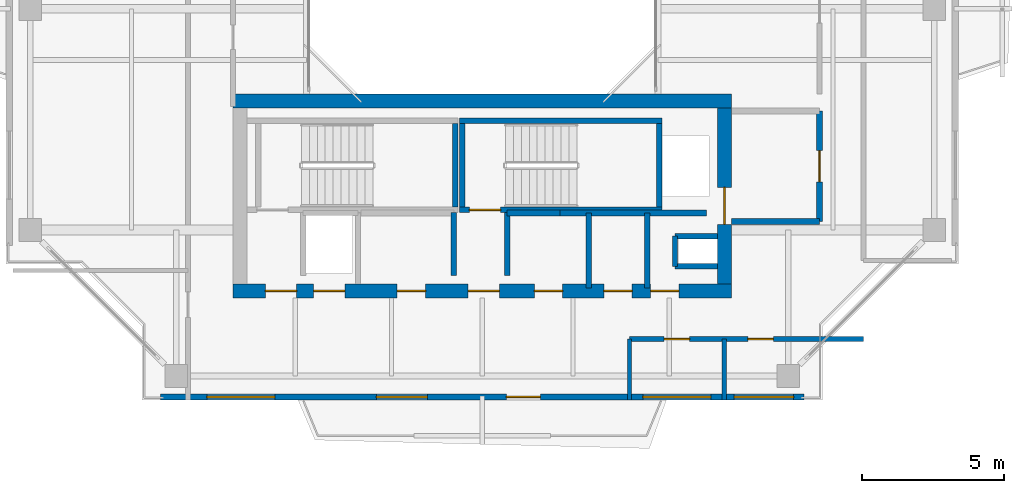
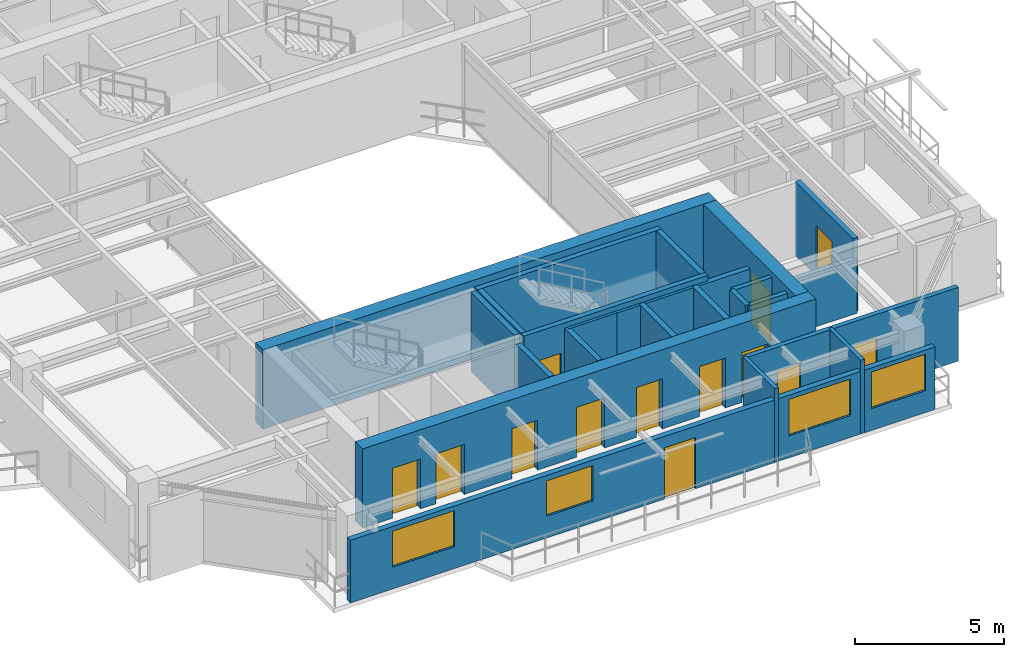
# One storey, part 10 of 16: 23 walls, 13 doors, 4 windows, 17 openings.
"""IFC4 building model written with IfcOpenShell, lengths in metres."""

import ifcopenshell
import ifcopenshell.guid

model = None  # the IFC model being written
_history = None  # IfcOwnerHistory: only IFC2X3 demands one
_inside = {}  # id of a spatial element -> (the spatial element, [elements in it])
_under = {}  # id of a project, library or spatial element -> (it, [spatial elements below it])
_declared = {}  # id of a project -> (the project, [libraries it declares])
_typed = {}  # id of a type object -> (the type object, [elements of that type])
_made_of = {}  # id of a material, layer set ... -> (it, [elements and type objects made of it])


def new_model(schema):
    """Start an empty IFC model of exactly this schema.

    Asked for "IFC4X3", IfcOpenShell would pick the latest addendum, in which some entities
    have other attributes; the version numbers below select the first issue.
    IFC2X3 requires an IfcOwnerHistory on every rooted entity: one is made here for all.
    """
    global model, _history
    if schema == "IFC4X3":
        model = ifcopenshell.file(schema_version=(4, 3, 0, 0))
    else:
        model = ifcopenshell.file(schema=schema)
    _inside.clear()
    _under.clear()
    _declared.clear()
    _typed.clear()
    _made_of.clear()
    _history = None
    if model.schema == "IFC2X3":
        org = make("IfcOrganization", Name="unknown")
        user = make(
            "IfcPersonAndOrganization",
            ThePerson=make("IfcPerson", FamilyName="unknown"),
            TheOrganization=org,
        )
        app = make(
            "IfcApplication",
            ApplicationDeveloper=org,
            Version="unknown",
            ApplicationFullName="unknown",
            ApplicationIdentifier="unknown",
        )
        _history = make(
            "IfcOwnerHistory",
            OwningUser=user,
            OwningApplication=app,
            ChangeAction="ADDED",
            CreationDate=0,
        )
    return model


def make(cls, **values):
    """One entity of the class cls with the attributes given. An attribute that is None is left unset."""
    return model.create_entity(
        cls, **{name: value for name, value in values.items() if value is not None}
    )


def rooted(cls, **values):
    """An entity with a GlobalId (a new one), such as an element, a storey or a relation."""
    return make(cls, GlobalId=ifcopenshell.guid.new(), OwnerHistory=_history, **values)


def si_unit(unit_type, name, prefix=None):
    """IfcSIUnit, for example si_unit("LENGTHUNIT", "METRE", prefix="MILLI")."""
    return make("IfcSIUnit", UnitType=unit_type, Prefix=prefix, Name=name)


def assignment(units):
    """IfcUnitAssignment: the units of a project."""
    return None if units is None else make("IfcUnitAssignment", Units=units)


def point(xyz):
    """IfcCartesianPoint."""
    return None if xyz is None else make("IfcCartesianPoint", Coordinates=xyz)


def direction(xyz):
    """IfcDirection."""
    return None if xyz is None else make("IfcDirection", DirectionRatios=xyz)


def frame(location, z_axis=None, x_axis=None):
    """IfcAxis2Placement3D, a coordinate frame: its origin and axes. An axis left out is left unset."""
    return make(
        "IfcAxis2Placement3D",
        Location=point(location),
        Axis=direction(z_axis),
        RefDirection=direction(x_axis),
    )


def frame_2d(location, x_axis=None):
    """IfcAxis2Placement2D, a coordinate frame in the plane: its origin and x axis."""
    return make(
        "IfcAxis2Placement2D", Location=point(location), RefDirection=direction(x_axis)
    )


def origin():
    """The frame at (0, 0, 0) with its axes left unset."""
    return frame((0.0, 0.0, 0.0))


def place(relative_to, where):
    """IfcLocalPlacement: puts the frame where relative to a parent placement (None: the world)."""
    return make(
        "IfcLocalPlacement", PlacementRelTo=relative_to, RelativePlacement=where
    )


def context(
    kind, dimensions, precision=None, world=None, true_north=None, identifier=None
):
    """IfcGeometricRepresentationContext, for example the 3D "Model" context."""
    return make(
        "IfcGeometricRepresentationContext",
        ContextIdentifier=identifier,
        ContextType=kind,
        CoordinateSpaceDimension=dimensions,
        Precision=precision,
        WorldCoordinateSystem=world,
        TrueNorth=true_north,
    )


def subcontext(parent, identifier, kind, view, scale=None):
    """IfcGeometricRepresentationSubContext, for example "Body" below "Model"."""
    return make(
        "IfcGeometricRepresentationSubContext",
        ContextIdentifier=identifier,
        ContextType=kind,
        ParentContext=parent,
        TargetScale=scale,
        TargetView=view,
    )


def project(units=None, contexts=None):
    """IfcProject with its units and contexts."""
    return rooted(
        "IfcProject",
        Name="project",
        RepresentationContexts=contexts,
        UnitsInContext=assignment(units),
    )


def spatial(cls, under=None, at=None, **own):
    """A site, building, storey or space (cls), placed at a placement, below another one or the project."""
    s = rooted(cls, ObjectPlacement=at, **own)
    if under is not None:
        _under.setdefault(under.id(), (under, []))[1].append(s)
    return s


def profile(cls, at=None, kind="AREA", **sizes):
    """A parametric profile (cls). Its sizes go by their IFC names, for example OverallWidth=200.0."""
    return make(cls, ProfileType=kind, Position=at, **sizes)


def rectangle(**sizes):
    """IfcRectangleProfileDef."""
    return profile("IfcRectangleProfileDef", **sizes)


def extrude(swept, where, along, depth):
    """IfcExtrudedAreaSolid: the profile swept, set in the frame where, extruded along a direction by depth."""
    return make(
        "IfcExtrudedAreaSolid",
        SweptArea=swept,
        Position=where,
        ExtrudedDirection=direction(along),
        Depth=depth,
    )


def shape(context_of_items, identifier, shape_type, items):
    """IfcShapeRepresentation: the items that make up one representation, for example the "Body"."""
    return make(
        "IfcShapeRepresentation",
        ContextOfItems=context_of_items,
        RepresentationIdentifier=identifier,
        RepresentationType=shape_type,
        Items=items,
    )


def source(mapping_origin, context_of_items, identifier, shape_type, items):
    """IfcRepresentationMap: a shape defined once, which mapped items show again and again."""
    return make(
        "IfcRepresentationMap",
        MappingOrigin=mapping_origin,
        MappedRepresentation=shape(context_of_items, identifier, shape_type, items),
    )


def transform(
    local_origin,
    x_axis=None,
    y_axis=None,
    z_axis=None,
    scale=None,
    scale2=None,
    scale3=None,
    uniform=True,
):
    """IfcCartesianTransformationOperator3D, or its non-uniform kind. x_axis, y_axis, z_axis: its Axis1, 2, 3."""
    if uniform:
        return make(
            "IfcCartesianTransformationOperator3D",
            Axis1=direction(x_axis),
            Axis2=direction(y_axis),
            LocalOrigin=point(local_origin),
            Scale=scale,
            Axis3=direction(z_axis),
        )
    return make(
        "IfcCartesianTransformationOperator3DnonUniform",
        Axis1=direction(x_axis),
        Axis2=direction(y_axis),
        LocalOrigin=point(local_origin),
        Scale=scale,
        Axis3=direction(z_axis),
        Scale2=scale2,
        Scale3=scale3,
    )


def mapped(mapping_source, mapping_target):
    """IfcMappedItem: shows the shape of a source again, moved by a transform."""
    return make(
        "IfcMappedItem", MappingSource=mapping_source, MappingTarget=mapping_target
    )


def material(Name=None, Category=None):
    """IfcMaterial."""
    return make("IfcMaterial", Name=Name, Category=Category)


def layer(
    of_material, thickness, ventilated=None, Name=None, Category=None, Priority=None
):
    """IfcMaterialLayer: one layer of a wall or slab, of a material (None: an air gap)."""
    return make(
        "IfcMaterialLayer",
        Material=of_material,
        LayerThickness=thickness,
        IsVentilated=ventilated,
        Name=Name,
        Category=Category,
        Priority=Priority,
    )


def layer_set(layers, Name=None):
    """IfcMaterialLayerSet."""
    return make("IfcMaterialLayerSet", MaterialLayers=layers, LayerSetName=Name)


def made_of(thing, what):
    """Note that an element or type object is made of a material, layer set ...; save() writes the relation."""
    if what is not None:
        _made_of.setdefault(what.id(), (what, []))[1].append(thing)
    return thing


def type_object(cls, material=None, **own):
    """A type object (cls), such as IfcWallType, which elements share."""
    return made_of(rooted(cls, **own), material)


def element(
    cls,
    number,
    at=None,
    inside=None,
    cuts=None,
    type_object=None,
    material=None,
    context=None,
    identifier="Body",
    shape_type=None,
    held_by="IfcProductDefinitionShape",
    body=None,
    shapes=None,
    **own,
):
    """One element of the class cls, such as IfcWall. Its Tag is "e" and its number.

    at: its placement. inside: the storey or other place that contains it. cuts: it is an
    opening in that element (IfcRelVoidsElement). A single representation is given by context,
    identifier, shape_type and body (its items); several are given by shapes. held_by: the class
    of the entity that holds the representations. save() writes the other relations.
    """
    e = rooted(cls, Tag="e%d" % number, ObjectPlacement=at, **own)
    if body is not None:
        shapes = [shape(context, identifier, shape_type, body)]
    if shapes is not None:
        e.Representation = make(held_by, Representations=shapes)
    if inside is not None:
        _inside.setdefault(inside.id(), (inside, []))[1].append(e)
    if cuts is not None:
        rooted(
            "IfcRelVoidsElement", RelatingBuildingElement=cuts, RelatedOpeningElement=e
        )
    if type_object is not None:
        _typed.setdefault(type_object.id(), (type_object, []))[1].append(e)
    return made_of(e, material)


def fill(opening, filler):
    """IfcRelFillsElement: the door or window that sits in an opening."""
    return rooted(
        "IfcRelFillsElement",
        RelatingOpeningElement=opening,
        RelatedBuildingElement=filler,
    )


def aggregate(whole, parts):
    """IfcRelAggregates: a whole, such as a stair, and the parts it consists of."""
    return rooted("IfcRelAggregates", RelatingObject=whole, RelatedObjects=parts)


def save(model, path):
    """Write the relations noted so far, then the file.

    IfcRelAggregates (storeys below a building ...), IfcRelContainedInSpatialStructure (elements
    in a storey), IfcRelDefinesByType, IfcRelAssociatesMaterial and IfcRelDeclares: one each for
    every whole, place, type object, material and project.
    """
    for whole, parts in _under.values():
        aggregate(whole, parts)
    for where, things in _inside.values():
        rooted(
            "IfcRelContainedInSpatialStructure",
            RelatedElements=things,
            RelatingStructure=where,
        )
    for kind, things in _typed.values():
        rooted("IfcRelDefinesByType", RelatedObjects=things, RelatingType=kind)
    for what, things in _made_of.values():
        rooted("IfcRelAssociatesMaterial", RelatedObjects=things, RelatingMaterial=what)
    for by, libraries in _declared.values():
        rooted("IfcRelDeclares", RelatingContext=by, RelatedDefinitions=libraries)
    model.write(path)


model = new_model("IFC4")

# Units and contexts
model_context = context("Model", 3, precision=1e-05, world=origin(), true_north=direction((0.0, 1.0)))
body_context = subcontext(model_context, "Body", "Model", "MODEL_VIEW")
ifc_project = project(units=[si_unit("LENGTHUNIT", "METRE"), si_unit("AREAUNIT", "SQUARE_METRE"), si_unit("VOLUMEUNIT", "CUBIC_METRE"), si_unit("PLANEANGLEUNIT", "RADIAN"), si_unit("MASSUNIT", "GRAM", prefix="KILO"), si_unit("THERMODYNAMICTEMPERATUREUNIT", "KELVIN"), si_unit("POWERUNIT", "WATT")], contexts=[model_context])

# Site, building, storey
site_placement = place(None, origin())
site = spatial("IfcSite", under=ifc_project, at=site_placement, CompositionType="ELEMENT")
building_placement = place(site_placement, origin())
building = spatial("IfcBuilding", under=site, at=building_placement, Name="Qiaomeng Ring Towers", CompositionType="ELEMENT")
storey_placement = place(building_placement, frame((0.0, 0.0, 229.5)))
storey = spatial("IfcBuildingStorey", under=building, at=storey_placement, Name="L67", CompositionType="ELEMENT", Elevation=229.5)

# Wall, openings, windows, door
ifc_material_1 = material(Name="Precast concrete C40", Category="concrete")
ifc_layer_1 = layer(ifc_material_1, 0.219970703125, Name="Precast concrete C40")
ifc_layer_set_1 = layer_set([ifc_layer_1], Name="Precast concrete C40")
wall_type_1 = type_object("IfcWallType", Name="ARC-WL-EW2", PredefinedType="STANDARD", material=ifc_layer_set_1)
wall_1_placement = place(storey_placement, frame((7.64990234375, 6.31005859375, 0.0), z_axis=(0.0, 0.0, 1.0), x_axis=(1.0, 0.0, 0.0)))
wall_1 = element("IfcWall", 1, at=wall_1_placement, inside=storey, type_object=wall_type_1, Name="L67 Tower 1 S Exterior Wall", PredefinedType="STANDARD", context=body_context, shape_type="SweptSolid", body=[
    extrude(rectangle(XDim=22.7001953125, YDim=0.219970703125, at=frame_2d((11.35009765625, 0.0))), origin(), (0.0, 0.0, 1.0), 2.570068359375),
])
opening_1_placement = place(wall_1_placement, frame((12.199951171875, 0.0, 0.0)))
opening_1 = element("IfcOpeningElement", 2, at=opening_1_placement, cuts=wall_1, Name="Opening BD1", PredefinedType="OPENING", context=body_context, shape_type="SweptSolid", body=[
    extrude(rectangle(XDim=1.199951171875, YDim=2.10009765625, at=frame_2d((0.60009765625, 1.050048828125))), frame((0.0, 0.119873046875, 0.0), z_axis=(0.0, -1.0, 0.0), x_axis=(1.0, 0.0, 0.0)), (0.0, 0.0, 1.0), 0.239990234375),
])
opening_2_placement = place(wall_1_placement, frame((1.636962890625, 0.0, 0.89990234375)))
opening_2 = element("IfcOpeningElement", 3, at=opening_2_placement, cuts=wall_1, Name="Opening WN6", PredefinedType="OPENING", context=body_context, shape_type="SweptSolid", body=[
    extrude(rectangle(XDim=2.39990234375, YDim=1.47998046875, at=frame_2d((1.199951171875, 0.739990234375))), frame((0.0, 0.119873046875, 0.0), z_axis=(0.0, -1.0, 0.0), x_axis=(1.0, 0.0, 0.0)), (0.0, 0.0, 1.0), 0.239990234375),
])
opening_3_placement = place(wall_1_placement, frame((7.612060546875, 0.0, 0.89990234375)))
opening_3 = element("IfcOpeningElement", 4, at=opening_3_placement, cuts=wall_1, Name="Opening WN1", PredefinedType="OPENING", context=body_context, shape_type="SweptSolid", body=[
    extrude(rectangle(XDim=1.800048828125, YDim=1.449951171875, at=frame_2d((0.89990234375, 0.72509765625))), frame((0.0, 0.119873046875, 0.0), z_axis=(0.0, -1.0, 0.0), x_axis=(1.0, 0.0, 0.0)), (0.0, 0.0, 1.0), 0.239990234375),
])
opening_4_placement = place(wall_1_placement, frame((20.237548828125, 0.0, 0.89990234375)))
opening_4 = element("IfcOpeningElement", 5, at=opening_4_placement, cuts=wall_1, Name="Opening WN4", PredefinedType="OPENING", context=body_context, shape_type="SweptSolid", body=[
    extrude(rectangle(XDim=2.10009765625, YDim=1.5, at=frame_2d((1.050048828125, 0.75))), frame((0.0, 0.119873046875, 0.0), z_axis=(0.0, -1.0, 0.0), x_axis=(1.0, 0.0, 0.0)), (0.0, 0.0, 1.0), 0.239990234375),
])
opening_5_placement = place(wall_1_placement, frame((17.02001953125, 0.0, 0.89990234375)))
opening_5 = element("IfcOpeningElement", 6, at=opening_5_placement, cuts=wall_1, Name="Opening WN6", PredefinedType="OPENING", context=body_context, shape_type="SweptSolid", body=[
    extrude(rectangle(XDim=2.39990234375, YDim=1.5, at=frame_2d((1.199951171875, 0.75))), frame((0.0, 0.119873046875, 0.0), z_axis=(0.0, -1.0, 0.0), x_axis=(1.0, 0.0, 0.0)), (0.0, 0.0, 1.0), 0.239990234375),
])
ifc_material_2 = material(Name="Low-E dark-grey laminated double glazing", Category="glass")
window_type_1 = type_object("IfcWindowType", Name="ARC-WN-4", PartitioningType="TRIPLE_PANEL_VERTICAL", PredefinedType="WINDOW", material=ifc_material_2)
shared_shape_1 = source(origin(), body_context, "Body", "SweptSolid", [
    extrude(rectangle(XDim=2.10009765625, YDim=1.5, at=frame_2d((1.050048828125, 0.75))), frame((0.0, 0.030029296875, 0.0), z_axis=(0.0, -1.0, 0.0), x_axis=(1.0, 0.0, 0.0)), (0.0, 0.0, 1.0), 0.06005859375),
])
window_1_placement = place(opening_4_placement, origin())
window_1 = element("IfcWindow", 7, at=window_1_placement, inside=storey, type_object=window_type_1, Name="L67 Exterior Window WN4", OverallHeight=1.5, OverallWidth=2.10009765625, PartitioningType="TRIPLE_PANEL_VERTICAL", PredefinedType="WINDOW", context=body_context, shape_type="MappedRepresentation", body=[
    mapped(shared_shape_1, transform((0.0, 0.0, 0.0), x_axis=(1.0, 0.0, 0.0), y_axis=(0.0, 1.0, 0.0), z_axis=(0.0, 0.0, 1.0), scale=1.0)),
])
fill(opening_4, window_1)
window_type_2 = type_object("IfcWindowType", Name="ARC-WN-1", PartitioningType="DOUBLE_PANEL_VERTICAL", PredefinedType="WINDOW", material=ifc_material_2)
shared_shape_2 = source(origin(), body_context, "Body", "SweptSolid", [
    extrude(rectangle(XDim=1.800048828125, YDim=1.449951171875, at=frame_2d((0.89990234375, 0.72509765625))), frame((0.0, 0.030029296875, 0.0), z_axis=(0.0, -1.0, 0.0), x_axis=(1.0, 0.0, 0.0)), (0.0, 0.0, 1.0), 0.06005859375),
])
window_2_placement = place(opening_3_placement, origin())
window_2 = element("IfcWindow", 8, at=window_2_placement, inside=storey, type_object=window_type_2, Name="L67 Exterior Window WN1", OverallHeight=1.449951171875, OverallWidth=1.800048828125, PartitioningType="DOUBLE_PANEL_VERTICAL", PredefinedType="WINDOW", context=body_context, shape_type="MappedRepresentation", body=[
    mapped(shared_shape_2, transform((0.0, 0.0, 0.0), x_axis=(1.0, 0.0, 0.0), y_axis=(0.0, 1.0, 0.0), z_axis=(0.0, 0.0, 1.0), scale=1.0)),
])
fill(opening_3, window_2)
window_type_3 = type_object("IfcWindowType", Name="ARC-WN-6", PartitioningType="TRIPLE_PANEL_VERTICAL", PredefinedType="WINDOW", material=ifc_material_2)
shared_shape_3 = source(origin(), body_context, "Body", "SweptSolid", [
    extrude(rectangle(XDim=2.39990234375, YDim=1.47998046875, at=frame_2d((1.199951171875, 0.739990234375))), frame((0.0, 0.030029296875, 0.0), z_axis=(0.0, -1.0, 0.0), x_axis=(1.0, 0.0, 0.0)), (0.0, 0.0, 1.0), 0.06005859375),
])
window_3_placement = place(opening_2_placement, origin())
window_3 = element("IfcWindow", 9, at=window_3_placement, inside=storey, type_object=window_type_3, Name="L67 Exterior Window WN6", OverallHeight=1.47998046875, OverallWidth=2.39990234375, PartitioningType="TRIPLE_PANEL_VERTICAL", PredefinedType="WINDOW", context=body_context, shape_type="MappedRepresentation", body=[
    mapped(shared_shape_3, transform((0.0, 0.0, 0.0), x_axis=(1.0, 0.0, 0.0), y_axis=(0.0, 1.0, 0.0), z_axis=(0.0, 0.0, 1.0), scale=1.0)),
])
fill(opening_2, window_3)
door_type_1 = type_object("IfcDoorType", Name="ARC-DR-BD1", OperationType="NOTDEFINED", PredefinedType="DOOR", material=ifc_material_2)
shared_shape_4 = source(origin(), body_context, "Body", "SweptSolid", [
    extrude(rectangle(XDim=1.199951171875, YDim=2.10009765625, at=frame_2d((0.60009765625, 1.050048828125))), frame((0.0, 0.02490234375, 0.0), z_axis=(0.0, -1.0, 0.0), x_axis=(1.0, 0.0, 0.0)), (0.0, 0.0, 1.0), 0.050048828125),
])
door_1_placement = place(opening_1_placement, frame((1.199951171875, 0.0, 0.0), z_axis=(0.0, 0.0, 1.0), x_axis=(-1.0, 0.0, 0.0)))
door_1 = element("IfcDoor", 10, at=door_1_placement, inside=storey, type_object=door_type_1, Name="L67 S Balcony Glazed Door", OperationType="SINGLE_SWING_LEFT", OverallHeight=2.10009765625, OverallWidth=1.199951171875, PredefinedType="DOOR", context=body_context, shape_type="MappedRepresentation", body=[
    mapped(shared_shape_4, transform((0.0, 0.0, 0.0), x_axis=(1.0, 0.0, 0.0), y_axis=(0.0, 1.0, 0.0), z_axis=(0.0, 0.0, 1.0), scale=1.0)),
])
fill(opening_1, door_1)
shared_shape_5 = source(origin(), body_context, "Body", "SweptSolid", [
    extrude(rectangle(XDim=2.39990234375, YDim=1.5, at=frame_2d((1.199951171875, 0.75))), frame((0.0, 0.030029296875, 0.0), z_axis=(0.0, -1.0, 0.0), x_axis=(1.0, 0.0, 0.0)), (0.0, 0.0, 1.0), 0.06005859375),
])
window_4_placement = place(opening_5_placement, origin())
window_4 = element("IfcWindow", 11, at=window_4_placement, inside=storey, type_object=window_type_3, Name="L67 Exterior Window WN6", OverallHeight=1.5, OverallWidth=2.39990234375, PartitioningType="TRIPLE_PANEL_VERTICAL", PredefinedType="WINDOW", context=body_context, shape_type="MappedRepresentation", body=[
    mapped(shared_shape_5, transform((0.0, 0.0, 0.0), x_axis=(1.0, 0.0, 0.0), y_axis=(0.0, 1.0, 0.0), z_axis=(0.0, 0.0, 1.0), scale=1.0)),
])
fill(opening_5, window_4)

# Wall
ifc_material_3 = material(Name="Autoclaved aerated concrete block", Category="concrete")
ifc_layer_2 = layer(ifc_material_3, 0.199951171875, Name="Autoclaved aerated concrete block")
ifc_layer_set_2 = layer_set([ifc_layer_2], Name="Autoclaved aerated concrete block")
wall_type_2 = type_object("IfcWallType", Name="ARC-WL-PW1", PredefinedType="PARTITIONING", material=ifc_layer_set_2)
wall_2_placement = place(storey_placement, frame((27.800048828125, 12.5, 0.0), z_axis=(0.0, 0.0, 1.0), x_axis=(1.0, 0.0, 0.0)))
element("IfcWall", 12, at=wall_2_placement, inside=storey, type_object=wall_type_2, Name="L67 Interior Wall PW1", PredefinedType="PARTITIONING", context=body_context, shape_type="SweptSolid", body=[
    extrude(rectangle(XDim=3.099853515625, YDim=0.199951171875, at=frame_2d((1.5498046875, 0.0))), origin(), (0.0, 0.0, 1.0), 2.22509765625),
])

# Wall, opening, door
wall_3_placement = place(storey_placement, frame((30.89990234375, 12.5, 0.0), z_axis=(0.0, 0.0, 1.0), x_axis=(0.0, 1.0, 0.0)))
wall_3 = element("IfcWall", 13, at=wall_3_placement, inside=storey, type_object=wall_type_2, Name="L67 Interior Wall PW1", PredefinedType="PARTITIONING", context=body_context, shape_type="SweptSolid", body=[
    extrude(rectangle(XDim=3.89990234375, YDim=0.199951171875, at=frame_2d((1.949951171875, 0.0))), origin(), (0.0, 0.0, 1.0), 3.030029296875),
])
opening_6_placement = place(wall_3_placement, frame((1.39990234375, 0.0, 0.0)))
opening_6 = element("IfcOpeningElement", 14, at=opening_6_placement, cuts=wall_3, Name="Opening FD3", PredefinedType="OPENING", context=body_context, shape_type="SweptSolid", body=[
    extrude(rectangle(XDim=1.10009765625, YDim=2.050048828125, at=frame_2d((0.550048828125, 1.02490234375))), frame((0.0, 0.10986328125, 0.0), z_axis=(0.0, -1.0, 0.0), x_axis=(1.0, 0.0, 0.0)), (0.0, 0.0, 1.0), 0.219970703125),
])
ifc_material_4 = material(Name="Galvanised steel", Category="steel")
door_type_2 = type_object("IfcDoorType", Name="ARC-DR-FD3", OperationType="NOTDEFINED", PredefinedType="DOOR", material=ifc_material_4)
shared_shape_6 = source(origin(), body_context, "Body", "SweptSolid", [
    extrude(rectangle(XDim=1.10009765625, YDim=2.050048828125, at=frame_2d((0.550048828125, 1.02490234375))), frame((0.0, 0.02490234375, 0.0), z_axis=(0.0, -1.0, 0.0), x_axis=(1.0, 0.0, 0.0)), (0.0, 0.0, 1.0), 0.050048828125),
])
door_2_placement = place(opening_6_placement, origin())
door_2 = element("IfcDoor", 15, at=door_2_placement, inside=storey, type_object=door_type_2, Name="L67 South FF Lobby Door", OperationType="SINGLE_SWING_LEFT", OverallHeight=2.050048828125, OverallWidth=1.10009765625, PredefinedType="DOOR", context=body_context, shape_type="MappedRepresentation", body=[
    mapped(shared_shape_6, transform((0.0, 0.0, 0.0), x_axis=(1.0, 0.0, 0.0), y_axis=(0.0, 1.0, 0.0), z_axis=(0.0, 0.0, 1.0), scale=1.0)),
])
fill(opening_6, door_2)

# Walls
for number, where, z_axis, x_axis, name in (
    (16, (18.0, 10.60009765625, 0.0), (0.0, 0.0, 1.0), (0.0, 1.0, 0.0), "L67 Interior Wall PW1"),
    (17, (19.8798828125, 10.60009765625, 0.0), (0.0, 0.0, 1.0), (0.0, 1.0, 0.0), "L67 Interior Wall PW1"),
):
    element("IfcWall", number, at=place(storey_placement, frame(where, z_axis=z_axis, x_axis=x_axis)), inside=storey, type_object=wall_type_2, Name=name, PredefinedType="PARTITIONING", context=body_context, shape_type="SweptSolid", body=[
        extrude(rectangle(XDim=2.2099609375, YDim=0.199951171875, at=frame_2d((1.10498046875, 0.0))), origin(), (0.0, 0.0, 1.0), 3.030029296875),
    ])
wall_4_placement = place(storey_placement, frame((24.820068359375, 10.14990234375, 0.0), z_axis=(0.0, 0.0, 1.0), x_axis=(0.0, 1.0, 0.0)))
element("IfcWall", 18, at=wall_4_placement, inside=storey, type_object=wall_type_2, Name="L67 Interior Wall PW1", PredefinedType="PARTITIONING", context=body_context, shape_type="SweptSolid", body=[
    extrude(rectangle(XDim=2.650146484375, YDim=0.199951171875, at=frame_2d((1.3251953125, 0.0))), origin(), (0.0, 0.0, 1.0), 3.030029296875),
])
wall_5_placement = place(storey_placement, frame((19.8798828125, 12.800048828125, 0.0), z_axis=(0.0, 0.0, 1.0), x_axis=(1.0, 0.0, 0.0)))
element("IfcWall", 19, at=wall_5_placement, inside=storey, type_object=wall_type_2, Name="L67 Interior Wall PW1", PredefinedType="PARTITIONING", context=body_context, shape_type="SweptSolid", body=[
    extrude(rectangle(XDim=1.8701171875, YDim=0.199951171875, at=frame_2d((0.93505859375, 0.0))), origin(), (0.0, 0.0, 1.0), 3.030029296875),
])
wall_6_placement = place(storey_placement, frame((22.760009765625, 10.14990234375, 0.0), z_axis=(0.0, 0.0, 1.0), x_axis=(0.0, 1.0, 0.0)))
element("IfcWall", 20, at=wall_6_placement, inside=storey, type_object=wall_type_2, Name="L67 Interior Wall PW1", PredefinedType="PARTITIONING", context=body_context, shape_type="SweptSolid", body=[
    extrude(rectangle(XDim=2.650146484375, YDim=0.199951171875, at=frame_2d((1.3251953125, 0.0))), origin(), (0.0, 0.0, 1.0), 3.030029296875),
])
wall_7_placement = place(storey_placement, frame((21.75, 12.800048828125, 0.0), z_axis=(0.0, 0.0, 1.0), x_axis=(1.0, 0.0, 0.0)))
element("IfcWall", 21, at=wall_7_placement, inside=storey, type_object=wall_type_2, Name="L67 Interior Wall PW1", PredefinedType="PARTITIONING", context=body_context, shape_type="SweptSolid", body=[
    extrude(rectangle(XDim=5.169921875, YDim=0.199951171875, at=frame_2d((2.5849609375, 0.0))), origin(), (0.0, 0.0, 1.0), 3.030029296875),
])

# Wall, openings, doors
ifc_layer_3 = layer(ifc_material_3, 0.179931640625, Name="Autoclaved aerated concrete block")
ifc_layer_set_3 = layer_set([ifc_layer_3], Name="Autoclaved aerated concrete block")
wall_type_3 = type_object("IfcWallType", Name="ARC-WL-PW2", PredefinedType="PARTITIONING", material=ifc_layer_set_3)
wall_8_placement = place(storey_placement, frame((24.199951171875, 8.35009765625, 0.0), z_axis=(0.0, 0.0, 1.0), x_axis=(1.0, 0.0, 0.0)))
wall_8 = element("IfcWall", 22, at=wall_8_placement, inside=storey, type_object=wall_type_3, Name="L67 Interior Wall PW2", PredefinedType="PARTITIONING", context=body_context, shape_type="SweptSolid", body=[
    extrude(rectangle(XDim=8.25, YDim=0.179931640625, at=frame_2d((4.125, 0.0))), origin(), (0.0, 0.0, 1.0), 3.030029296875),
])
opening_7_placement = place(wall_8_placement, frame((1.219970703125, 0.0, 0.0)))
opening_7 = element("IfcOpeningElement", 23, at=opening_7_placement, cuts=wall_8, Name="Opening ID1", PredefinedType="OPENING", context=body_context, shape_type="SweptSolid", body=[
    extrude(rectangle(XDim=0.89990234375, YDim=2.050048828125, at=frame_2d((0.449951171875, 1.02490234375))), frame((0.0, 0.099853515625, 0.0), z_axis=(0.0, -1.0, 0.0), x_axis=(1.0, 0.0, 0.0)), (0.0, 0.0, 1.0), 0.199951171875),
])
opening_8_placement = place(wall_8_placement, frame((4.177001953125, 0.0, 0.0)))
opening_8 = element("IfcOpeningElement", 24, at=opening_8_placement, cuts=wall_8, Name="Opening ID1", PredefinedType="OPENING", context=body_context, shape_type="SweptSolid", body=[
    extrude(rectangle(XDim=0.89990234375, YDim=2.050048828125, at=frame_2d((0.449951171875, 1.02490234375))), frame((0.0, 0.099853515625, 0.0), z_axis=(0.0, -1.0, 0.0), x_axis=(1.0, 0.0, 0.0)), (0.0, 0.0, 1.0), 0.199951171875),
])
ifc_material_5 = material(Name="Engineered oak timber", Category="wood")
door_type_3 = type_object("IfcDoorType", Name="ARC-DR-ID1", OperationType="NOTDEFINED", PredefinedType="DOOR", material=ifc_material_5)
shared_shape_7 = source(origin(), body_context, "Body", "SweptSolid", [
    extrude(rectangle(XDim=0.89990234375, YDim=2.050048828125, at=frame_2d((0.449951171875, 1.02490234375))), frame((0.0, 0.02490234375, 0.0), z_axis=(0.0, -1.0, 0.0), x_axis=(1.0, 0.0, 0.0)), (0.0, 0.0, 1.0), 0.050048828125),
])
door_3_placement = place(opening_7_placement, origin())
door_3 = element("IfcDoor", 25, at=door_3_placement, inside=storey, type_object=door_type_3, Name="L67 Door ID1", OperationType="SINGLE_SWING_RIGHT", OverallHeight=2.050048828125, OverallWidth=0.89990234375, PredefinedType="DOOR", context=body_context, shape_type="MappedRepresentation", body=[
    mapped(shared_shape_7, transform((0.0, 0.0, 0.0), x_axis=(1.0, 0.0, 0.0), y_axis=(0.0, 1.0, 0.0), z_axis=(0.0, 0.0, 1.0), scale=1.0)),
])
fill(opening_7, door_3)
door_4_placement = place(opening_8_placement, origin())
door_4 = element("IfcDoor", 26, at=door_4_placement, inside=storey, type_object=door_type_3, Name="L67 Door ID1", OperationType="SINGLE_SWING_LEFT", OverallHeight=2.050048828125, OverallWidth=0.89990234375, PredefinedType="DOOR", context=body_context, shape_type="MappedRepresentation", body=[
    mapped(shared_shape_7, transform((0.0, 0.0, 0.0), x_axis=(1.0, 0.0, 0.0), y_axis=(0.0, 1.0, 0.0), z_axis=(0.0, 0.0, 1.0), scale=1.0)),
])
fill(opening_8, door_4)

# Walls
ifc_material_6 = material(Name="Gypsum fireboard steel-stud partition", Category="steel")
ifc_layer_4 = layer(ifc_material_6, 0.14990234375, Name="Gypsum fireboard steel-stud partition")
ifc_layer_set_4 = layer_set([ifc_layer_4], Name="Gypsum fireboard steel-stud partition")
wall_type_4 = type_object("IfcWallType", Name="ARC-WL-PW3", PredefinedType="PARTITIONING", material=ifc_layer_set_4)
for number, where, z_axis, x_axis, name in (
    (27, (24.199951171875, 6.199951171875, 0.0), (0.0, 0.0, 1.0), (0.0, 1.0, 0.0), "L67 Interior Wall PW3"),
    (28, (27.5400390625, 6.199951171875, 0.0), (0.0, 0.0, 1.0), (0.0, 1.0, 0.0), "L67 Interior Wall PW3"),
):
    element("IfcWall", number, at=place(storey_placement, frame(where, z_axis=z_axis, x_axis=x_axis)), inside=storey, type_object=wall_type_4, Name=name, PredefinedType="PARTITIONING", context=body_context, shape_type="SweptSolid", body=[
        extrude(rectangle(XDim=2.150146484375, YDim=0.14990234375, at=frame_2d((1.0751953125, 0.0))), origin(), (0.0, 0.0, 1.0), 3.030029296875),
    ])
ifc_material_7 = material(Name="Concrete C40", Category="concrete")
ifc_layer_5 = layer(ifc_material_7, 0.199951171875, Name="Concrete C40")
ifc_layer_set_5 = layer_set([ifc_layer_5], Name="Concrete C40")
wall_type_5 = type_object("IfcWallType", Name="STR-WL-STSHAFT", PredefinedType="SHEAR", material=ifc_layer_set_5)
wall_9_placement = place(storey_placement, frame((25.800048828125, 10.919921875, 0.0), z_axis=(0.0, 0.0, 1.0), x_axis=(0.0, 1.0, 0.0)))
element("IfcWall", 29, at=wall_9_placement, inside=storey, type_object=wall_type_5, Name="L67 Riser RSR1 West Shaft Wall S", PredefinedType="SHEAR", context=body_context, shape_type="SweptSolid", body=[
    extrude(rectangle(XDim=1.06005859375, YDim=0.179931640625, at=frame_2d((0.530029296875, 0.0))), origin(), (0.0, 0.0, 1.0), 3.030029296875),
])
for number, where, z_axis, x_axis, name in (
    (30, (25.800048828125, 11.97998046875, 0.0), (0.0, 0.0, 1.0), (1.0, 0.0, 0.0), "L67 Riser RSR1 North Shaft Wall S"),
    (31, (25.800048828125, 10.919921875, 0.0), (0.0, 0.0, 1.0), (1.0, 0.0, 0.0), "L67 Riser RSR1 South Shaft Wall S"),
):
    element("IfcWall", number, at=place(storey_placement, frame(where, z_axis=z_axis, x_axis=x_axis)), inside=storey, type_object=wall_type_5, Name=name, PredefinedType="SHEAR", context=body_context, shape_type="SweptSolid", body=[
        extrude(rectangle(XDim=1.5, YDim=0.179931640625, at=frame_2d((0.75, 0.0))), origin(), (0.0, 0.0, 1.0), 3.030029296875),
    ])
wall_10_placement = place(storey_placement, frame((18.050048828125, 13.010009765625, 0.0), z_axis=(0.0, 0.0, 1.0), x_axis=(0.0, 1.0, 0.0)))
element("IfcWall", 32, at=wall_10_placement, inside=storey, type_object=wall_type_5, Name="L67 Stair ST3 East Shaft Shear Wall", PredefinedType="SHEAR", context=body_context, shape_type="SweptSolid", body=[
    extrude(rectangle(XDim=2.93994140625, YDim=0.199951171875, at=frame_2d((1.469970703125, 0.0))), origin(), (0.0, 0.0, 1.0), 3.25),
])

# Wall, opening, door
wall_11_placement = place(storey_placement, frame((18.199951171875, 12.909912109375, 0.0), z_axis=(0.0, 0.0, 1.0), x_axis=(1.0, 0.0, 0.0)))
wall_11 = element("IfcWall", 33, at=wall_11_placement, inside=storey, type_object=wall_type_5, Name="L67 Stair ST4 South Shaft Shear Wall", PredefinedType="SHEAR", context=body_context, shape_type="SweptSolid", body=[
    extrude(rectangle(XDim=7.150146484375, YDim=0.199951171875, at=frame_2d((3.5751953125, 0.0))), origin(), (0.0, 0.0, 1.0), 3.25),
])
opening_9_placement = place(wall_11_placement, frame((0.35009765625, 0.0, 0.0)))
opening_9 = element("IfcOpeningElement", 34, at=opening_9_placement, cuts=wall_11, Name="Opening FD3", PredefinedType="OPENING", context=body_context, shape_type="SweptSolid", body=[
    extrude(rectangle(XDim=1.10009765625, YDim=2.050048828125, at=frame_2d((0.550048828125, 1.02490234375))), frame((0.0, 0.10986328125, 0.0), z_axis=(0.0, -1.0, 0.0), x_axis=(1.0, 0.0, 0.0)), (0.0, 0.0, 1.0), 0.219970703125),
])
door_5_placement = place(opening_9_placement, frame((1.10009765625, 0.0, 0.0), z_axis=(0.0, 0.0, 1.0), x_axis=(-1.0, 0.0, 0.0)))
door_5 = element("IfcDoor", 35, at=door_5_placement, inside=storey, type_object=door_type_2, Name="L67 Stair ST4 Exit Door", OperationType="SINGLE_SWING_LEFT", OverallHeight=2.050048828125, OverallWidth=1.10009765625, PredefinedType="DOOR", context=body_context, shape_type="MappedRepresentation", body=[
    mapped(shared_shape_6, transform((0.0, 0.0, 0.0), x_axis=(1.0, 0.0, 0.0), y_axis=(0.0, 1.0, 0.0), z_axis=(0.0, 0.0, 1.0), scale=1.0)),
])
fill(opening_9, door_5)

# Walls
wall_12_placement = place(storey_placement, frame((18.199951171875, 16.050048828125, 0.0), z_axis=(0.0, 0.0, 1.0), x_axis=(1.0, 0.0, 0.0)))
element("IfcWall", 36, at=wall_12_placement, inside=storey, type_object=wall_type_5, Name="L67 Stair ST4 North Shaft Shear Wall", PredefinedType="SHEAR", context=body_context, shape_type="SweptSolid", body=[
    extrude(rectangle(XDim=7.150146484375, YDim=0.199951171875, at=frame_2d((3.5751953125, 0.0))), origin(), (0.0, 0.0, 1.0), 3.25),
])
for number, where, z_axis, x_axis, name in (
    (37, (18.300048828125, 13.010009765625, 0.0), (0.0, 0.0, 1.0), (0.0, 1.0, 0.0), "L67 Stair ST4 West Shaft Shear Wall"),
    (38, (25.25, 13.010009765625, 0.0), (0.0, 0.0, 1.0), (0.0, 1.0, 0.0), "L67 Stair ST4 East Shaft Shear Wall"),
):
    element("IfcWall", number, at=place(storey_placement, frame(where, z_axis=z_axis, x_axis=x_axis)), inside=storey, type_object=wall_type_5, Name=name, PredefinedType="SHEAR", context=body_context, shape_type="SweptSolid", body=[
        extrude(rectangle(XDim=2.93994140625, YDim=0.199951171875, at=frame_2d((1.469970703125, 0.0))), origin(), (0.0, 0.0, 1.0), 3.25),
    ])

# Wall, openings, doors
ifc_layer_6 = layer(ifc_material_7, 0.5, Name="Concrete C40")
ifc_layer_set_6 = layer_set([ifc_layer_6], Name="Concrete C40")
wall_type_6 = type_object("IfcWallType", Name="STR-WL-SW3", PredefinedType="SHEAR", material=ifc_layer_set_6)
wall_13_placement = place(storey_placement, frame((10.199951171875, 10.050048828125, 0.0), z_axis=(0.0, 0.0, 1.0), x_axis=(1.0, 0.0, 0.0)))
wall_13 = element("IfcWall", 39, at=wall_13_placement, inside=storey, type_object=wall_type_6, Name="L67 T1SC south core shear wall", PredefinedType="SHEAR", context=body_context, shape_type="SweptSolid", body=[
    extrude(rectangle(XDim=17.60009765625, YDim=0.5, at=frame_2d((8.800048828125, 0.0))), origin(), (0.0, 0.0, 1.0), 3.25),
])
opening_10_placement = place(wall_13_placement, frame((1.14990234375, 0.0, 0.0)))
opening_10 = element("IfcOpeningElement", 40, at=opening_10_placement, cuts=wall_13, Name="Opening FD3", PredefinedType="OPENING", context=body_context, shape_type="SweptSolid", body=[
    extrude(rectangle(XDim=1.10009765625, YDim=2.050048828125, at=frame_2d((0.550048828125, 1.02490234375))), frame((0.0, 0.260009765625, 0.0), z_axis=(0.0, -1.0, 0.0), x_axis=(1.0, 0.0, 0.0)), (0.0, 0.0, 1.0), 0.52001953125),
])
opening_11_placement = place(wall_13_placement, frame((8.300048828125, 0.0, 0.0)))
opening_11 = element("IfcOpeningElement", 41, at=opening_11_placement, cuts=wall_13, Name="Opening FD3", PredefinedType="OPENING", context=body_context, shape_type="SweptSolid", body=[
    extrude(rectangle(XDim=1.10009765625, YDim=2.050048828125, at=frame_2d((0.550048828125, 1.02490234375))), frame((0.0, 0.260009765625, 0.0), z_axis=(0.0, -1.0, 0.0), x_axis=(1.0, 0.0, 0.0)), (0.0, 0.0, 1.0), 0.52001953125),
])
opening_12_placement = place(wall_13_placement, frame((2.85009765625, 0.0, 0.0)))
opening_12 = element("IfcOpeningElement", 42, at=opening_12_placement, cuts=wall_13, Name="Opening LD1", PredefinedType="OPENING", context=body_context, shape_type="SweptSolid", body=[
    extrude(rectangle(XDim=1.10009765625, YDim=2.050048828125, at=frame_2d((0.550048828125, 1.02490234375))), frame((0.0, 0.260009765625, 0.0), z_axis=(0.0, -1.0, 0.0), x_axis=(1.0, 0.0, 0.0)), (0.0, 0.0, 1.0), 0.52001953125),
])
opening_13_placement = place(wall_13_placement, frame((5.800048828125, 0.0, 0.0)))
opening_13 = element("IfcOpeningElement", 43, at=opening_13_placement, cuts=wall_13, Name="Opening FD1", PredefinedType="OPENING", context=body_context, shape_type="SweptSolid", body=[
    extrude(rectangle(XDim=1.0, YDim=2.050048828125, at=frame_2d((0.5, 1.02490234375))), frame((0.0, 0.260009765625, 0.0), z_axis=(0.0, -1.0, 0.0), x_axis=(1.0, 0.0, 0.0)), (0.0, 0.0, 1.0), 0.52001953125),
])
opening_14_placement = place(wall_13_placement, frame((14.739990234375, 0.0, 0.0)))
opening_14 = element("IfcOpeningElement", 44, at=opening_14_placement, cuts=wall_13, Name="Opening FD1", PredefinedType="OPENING", context=body_context, shape_type="SweptSolid", body=[
    extrude(rectangle(XDim=1.0, YDim=2.050048828125, at=frame_2d((0.5, 1.02490234375))), frame((0.0, 0.260009765625, 0.0), z_axis=(0.0, -1.0, 0.0), x_axis=(1.0, 0.0, 0.0)), (0.0, 0.0, 1.0), 0.52001953125),
])
opening_15_placement = place(wall_13_placement, frame((10.639892578125, 0.0, 0.0)))
opening_15 = element("IfcOpeningElement", 45, at=opening_15_placement, cuts=wall_13, Name="Opening FD1", PredefinedType="OPENING", context=body_context, shape_type="SweptSolid", body=[
    extrude(rectangle(XDim=1.0, YDim=2.050048828125, at=frame_2d((0.5, 1.02490234375))), frame((0.0, 0.260009765625, 0.0), z_axis=(0.0, -1.0, 0.0), x_axis=(1.0, 0.0, 0.0)), (0.0, 0.0, 1.0), 0.52001953125),
])
opening_16_placement = place(wall_13_placement, frame((13.090087890625, 0.0, 0.0)))
opening_16 = element("IfcOpeningElement", 46, at=opening_16_placement, cuts=wall_13, Name="Opening FD1", PredefinedType="OPENING", context=body_context, shape_type="SweptSolid", body=[
    extrude(rectangle(XDim=1.0, YDim=2.050048828125, at=frame_2d((0.5, 1.02490234375))), frame((0.0, 0.260009765625, 0.0), z_axis=(0.0, -1.0, 0.0), x_axis=(1.0, 0.0, 0.0)), (0.0, 0.0, 1.0), 0.52001953125),
])
door_6_placement = place(opening_10_placement, origin())
door_6 = element("IfcDoor", 47, at=door_6_placement, inside=storey, type_object=door_type_2, Name="L67 Stair ST3 Lobby Door", OperationType="SINGLE_SWING_RIGHT", OverallHeight=2.050048828125, OverallWidth=1.10009765625, PredefinedType="DOOR", context=body_context, shape_type="MappedRepresentation", body=[
    mapped(shared_shape_6, transform((0.0, 0.0, 0.0), x_axis=(1.0, 0.0, 0.0), y_axis=(0.0, 1.0, 0.0), z_axis=(0.0, 0.0, 1.0), scale=1.0)),
])
fill(opening_10, door_6)
door_7_placement = place(opening_11_placement, origin())
door_7 = element("IfcDoor", 48, at=door_7_placement, inside=storey, type_object=door_type_2, Name="L67 Stair ST4 Lobby Door", OperationType="SINGLE_SWING_RIGHT", OverallHeight=2.050048828125, OverallWidth=1.10009765625, PredefinedType="DOOR", context=body_context, shape_type="MappedRepresentation", body=[
    mapped(shared_shape_6, transform((0.0, 0.0, 0.0), x_axis=(1.0, 0.0, 0.0), y_axis=(0.0, 1.0, 0.0), z_axis=(0.0, 0.0, 1.0), scale=1.0)),
])
fill(opening_11, door_7)
ifc_material_8 = material(Name="Stainless steel 316", Category="steel")
door_type_4 = type_object("IfcDoorType", Name="ARC-DR-LD1", OperationType="NOTDEFINED", PredefinedType="DOOR", material=ifc_material_8)
door_8_placement = place(opening_12_placement, origin())
door_8 = element("IfcDoor", 49, at=door_8_placement, inside=storey, type_object=door_type_4, Name="L67 High-Zone Lift LP6 Landing Door", OperationType="SLIDING_TO_RIGHT", OverallHeight=2.050048828125, OverallWidth=1.10009765625, PredefinedType="DOOR", context=body_context, shape_type="MappedRepresentation", body=[
    mapped(shared_shape_6, transform((0.0, 0.0, 0.0), x_axis=(1.0, 0.0, 0.0), y_axis=(0.0, 1.0, 0.0), z_axis=(0.0, 0.0, 1.0), scale=1.0)),
])
fill(opening_12, door_8)
door_type_5 = type_object("IfcDoorType", Name="ARC-DR-FD1", OperationType="NOTDEFINED", PredefinedType="DOOR", material=ifc_material_4)
shared_shape_8 = source(origin(), body_context, "Body", "SweptSolid", [
    extrude(rectangle(XDim=1.0, YDim=2.050048828125, at=frame_2d((0.5, 1.02490234375))), frame((0.0, 0.02490234375, 0.0), z_axis=(0.0, -1.0, 0.0), x_axis=(1.0, 0.0, 0.0)), (0.0, 0.0, 1.0), 0.050048828125),
])
door_9_placement = place(opening_13_placement, origin())
door_9 = element("IfcDoor", 50, at=door_9_placement, inside=storey, type_object=door_type_5, Name="L67 High-Zone Freed Core Room Door", OperationType="SINGLE_SWING_RIGHT", OverallHeight=2.050048828125, OverallWidth=1.0, PredefinedType="DOOR", context=body_context, shape_type="MappedRepresentation", body=[
    mapped(shared_shape_8, transform((0.0, 0.0, 0.0), x_axis=(1.0, 0.0, 0.0), y_axis=(0.0, 1.0, 0.0), z_axis=(0.0, 0.0, 1.0), scale=1.0)),
])
fill(opening_13, door_9)
door_10_placement = place(opening_14_placement, origin())
door_10 = element("IfcDoor", 51, at=door_10_placement, inside=storey, type_object=door_type_5, Name="L67 South Electrical Riser Door", OperationType="SINGLE_SWING_RIGHT", OverallHeight=2.050048828125, OverallWidth=1.0, PredefinedType="DOOR", context=body_context, shape_type="MappedRepresentation", body=[
    mapped(shared_shape_8, transform((0.0, 0.0, 0.0), x_axis=(1.0, 0.0, 0.0), y_axis=(0.0, 1.0, 0.0), z_axis=(0.0, 0.0, 1.0), scale=1.0)),
])
fill(opening_14, door_10)
door_11_placement = place(opening_15_placement, origin())
door_11 = element("IfcDoor", 52, at=door_11_placement, inside=storey, type_object=door_type_5, Name="L67 South Telemetry Study Door", OperationType="SINGLE_SWING_LEFT", OverallHeight=2.050048828125, OverallWidth=1.0, PredefinedType="DOOR", context=body_context, shape_type="MappedRepresentation", body=[
    mapped(shared_shape_8, transform((0.0, 0.0, 0.0), x_axis=(1.0, 0.0, 0.0), y_axis=(0.0, 1.0, 0.0), z_axis=(0.0, 0.0, 1.0), scale=1.0)),
])
fill(opening_15, door_11)
door_12_placement = place(opening_16_placement, origin())
door_12 = element("IfcDoor", 53, at=door_12_placement, inside=storey, type_object=door_type_5, Name="L67 South Staff Pantry Door", OperationType="SINGLE_SWING_RIGHT", OverallHeight=2.050048828125, OverallWidth=1.0, PredefinedType="DOOR", context=body_context, shape_type="MappedRepresentation", body=[
    mapped(shared_shape_8, transform((0.0, 0.0, 0.0), x_axis=(1.0, 0.0, 0.0), y_axis=(0.0, 1.0, 0.0), z_axis=(0.0, 0.0, 1.0), scale=1.0)),
])
fill(opening_16, door_12)

# Wall
wall_14_placement = place(storey_placement, frame((10.199951171875, 16.75, 0.0), z_axis=(0.0, 0.0, 1.0), x_axis=(1.0, 0.0, 0.0)))
element("IfcWall", 54, at=wall_14_placement, inside=storey, type_object=wall_type_6, Name="L67 T1SC north core shear wall", PredefinedType="SHEAR", context=body_context, shape_type="SweptSolid", body=[
    extrude(rectangle(XDim=17.60009765625, YDim=0.5, at=frame_2d((8.800048828125, 0.0))), origin(), (0.0, 0.0, 1.0), 3.25),
])

# Wall, opening, door
wall_15_placement = place(storey_placement, frame((27.550048828125, 10.300048828125, 0.0), z_axis=(0.0, 0.0, 1.0), x_axis=(0.0, 1.0, 0.0)))
wall_15 = element("IfcWall", 55, at=wall_15_placement, inside=storey, type_object=wall_type_6, Name="L67 T1SC east core shear wall", PredefinedType="SHEAR", context=body_context, shape_type="SweptSolid", body=[
    extrude(rectangle(XDim=6.199951171875, YDim=0.5, at=frame_2d((3.10009765625, 0.0))), origin(), (0.0, 0.0, 1.0), 3.25),
])
opening_17_placement = place(wall_15_placement, frame((2.10009765625, 0.0, 0.0)))
opening_17 = element("IfcOpeningElement", 56, at=opening_17_placement, cuts=wall_15, Name="Opening LD2", PredefinedType="OPENING", context=body_context, shape_type="SweptSolid", body=[
    extrude(rectangle(XDim=1.300048828125, YDim=2.050048828125, at=frame_2d((0.64990234375, 1.02490234375))), frame((0.0, 0.260009765625, 0.0), z_axis=(0.0, -1.0, 0.0), x_axis=(1.0, 0.0, 0.0)), (0.0, 0.0, 1.0), 0.52001953125),
])
door_type_6 = type_object("IfcDoorType", Name="ARC-DR-LD2", OperationType="NOTDEFINED", PredefinedType="DOOR", material=ifc_material_8)
shared_shape_9 = source(origin(), body_context, "Body", "SweptSolid", [
    extrude(rectangle(XDim=1.300048828125, YDim=2.050048828125, at=frame_2d((0.64990234375, 1.02490234375))), frame((0.0, 0.02490234375, 0.0), z_axis=(0.0, -1.0, 0.0), x_axis=(1.0, 0.0, 0.0)), (0.0, 0.0, 1.0), 0.050048828125),
])
door_13_placement = place(opening_17_placement, origin())
door_13 = element("IfcDoor", 57, at=door_13_placement, inside=storey, type_object=door_type_6, Name="L67 Firefighting Lift FL2 Landing Door", OperationType="SLIDING_TO_RIGHT", OverallHeight=2.050048828125, OverallWidth=1.300048828125, PredefinedType="DOOR", context=body_context, shape_type="MappedRepresentation", body=[
    mapped(shared_shape_9, transform((0.0, 0.0, 0.0), x_axis=(1.0, 0.0, 0.0), y_axis=(0.0, 1.0, 0.0), z_axis=(0.0, 0.0, 1.0), scale=1.0)),
])
fill(opening_17, door_13)

save(model, "model.ifc")
